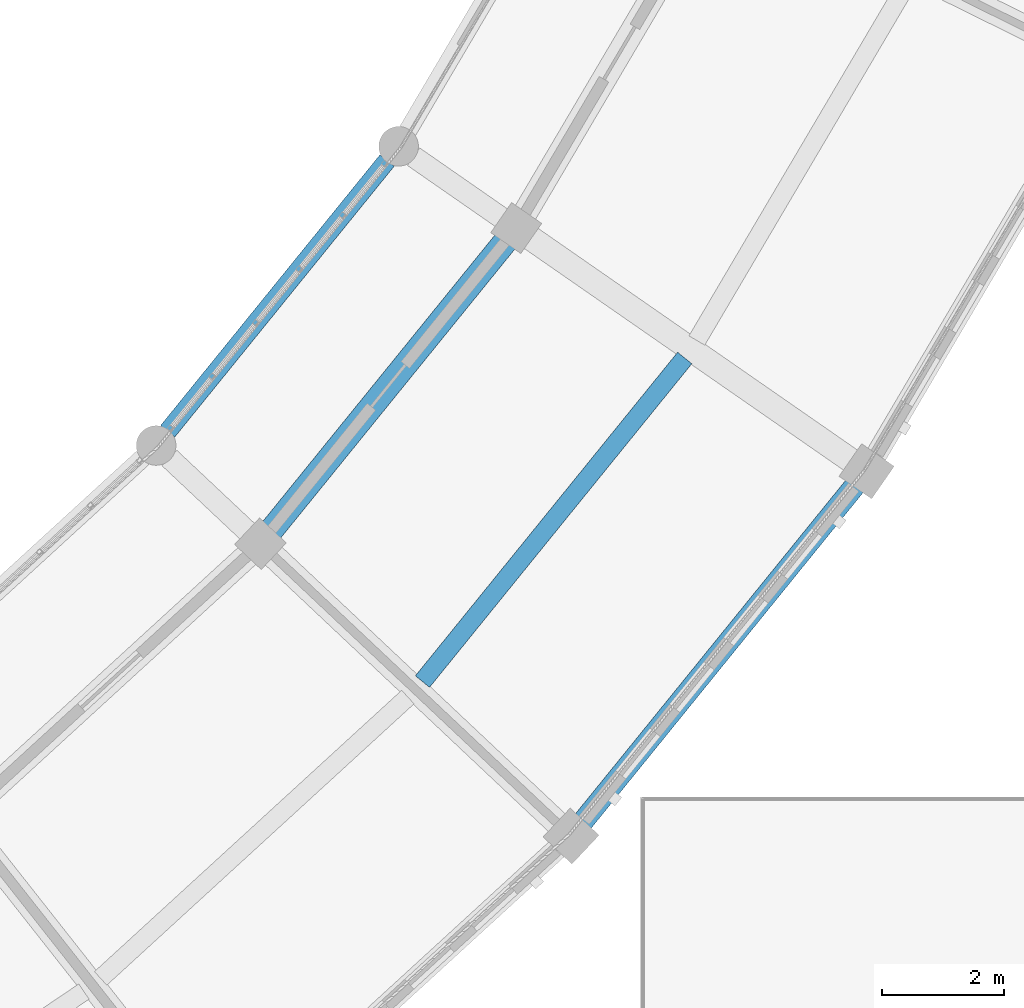
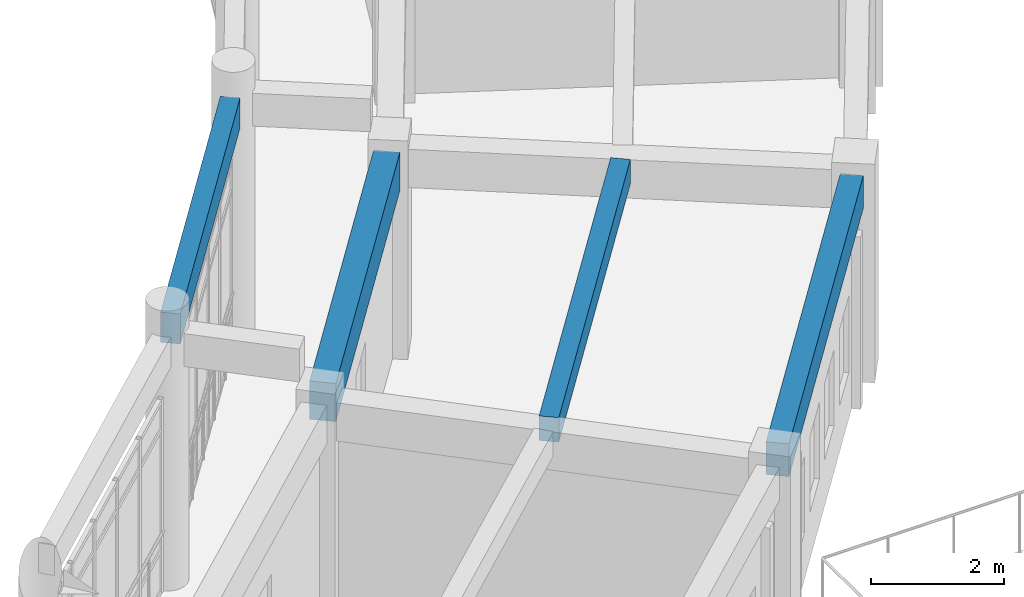
# One storey, part 44 of 159: 4 beams.
"""IFC4 building model written with IfcOpenShell, lengths in metres."""

from ifc_helpers import new_model, si_unit, direction, frame, origin, origin_2d, place, context, subcontext, project, spatial, rectangle, extrude, material, material_profile, profile_set, type_object, element, save


model = new_model("IFC4")

# Units and contexts
model_context = context("Model", 3, precision=1e-05, world=origin(), true_north=direction((0.0, 1.0)))
body_context = subcontext(model_context, "Body", "Model", "MODEL_VIEW")
ifc_project = project(units=[si_unit("LENGTHUNIT", "METRE"), si_unit("AREAUNIT", "SQUARE_METRE"), si_unit("VOLUMEUNIT", "CUBIC_METRE"), si_unit("PLANEANGLEUNIT", "RADIAN"), si_unit("MASSUNIT", "GRAM", prefix="KILO")], contexts=[model_context])

# Site, building, storey
site_placement = place(None, origin())
site = spatial("IfcSite", under=ifc_project, at=site_placement, CompositionType="ELEMENT")
building_placement = place(site_placement, origin())
building = spatial("IfcBuilding", under=site, at=building_placement, Name="Celadon Cloister-Ring School", CompositionType="ELEMENT")
storey_placement = place(building_placement, frame((0.0, 0.0, 4.5)))
storey = spatial("IfcBuildingStorey", under=building, at=storey_placement, Name="L01", CompositionType="ELEMENT", Elevation=4.5)

# Beams
ifc_material_1 = material(Name="Concrete C35/45", Category="concrete")
ifc_material_profile_1 = material_profile(ifc_material_1, rectangle(XDim=0.39990234375, YDim=0.699951171875, at=origin_2d()), Name="RC400X700")
ifc_profile_set_1 = profile_set([ifc_material_profile_1], Name="Concrete C35/45")
beam_type_1 = type_object("IfcBeamType", Name="GT-03", PredefinedType="USERDEFINED", material=ifc_profile_set_1)
beam_1_placement = place(storey_placement, frame((119.93798828125, 28.367919921875, 3.429931640625), z_axis=(0.629696496522, 0.776841246502, 0.0), x_axis=(-0.776841246502, 0.629696496522, 0.0)))
element("IfcBeam", 1, at=beam_1_placement, inside=storey, type_object=beam_type_1, Name="Beam 0352", ObjectType="GIRDER", PredefinedType="USERDEFINED", context=body_context, shape_type="SweptSolid", body=[
    extrude(rectangle(XDim=0.39990234375, YDim=0.699951171875, at=origin_2d()), origin(), (0.0, 0.0, 1.0), 6.11572265625),
])
ifc_material_2 = material(Name="Concrete C35/45", Category="concrete")
ifc_material_profile_2 = material_profile(ifc_material_2, rectangle(XDim=0.300048828125, YDim=0.449951171875, at=origin_2d()), Name="RC300X450")
ifc_profile_set_2 = profile_set([ifc_material_profile_2], Name="Concrete C35/45")
beam_type_2 = type_object("IfcBeamType", Name="JT-01", PredefinedType="JOIST", material=ifc_profile_set_2)
beam_2_placement = place(storey_placement, frame((122.423095703125, 25.89111328125, 3.554931640625), z_axis=(0.629687207375, 0.776848776062, 0.0), x_axis=(-0.776848776062, 0.629687207375, 0.0)))
element("IfcBeam", 2, at=beam_2_placement, inside=storey, type_object=beam_type_2, Name="Beam 0354", PredefinedType="JOIST", context=body_context, shape_type="SweptSolid", body=[
    extrude(rectangle(XDim=0.300048828125, YDim=0.449951171875, at=origin_2d()), origin(), (0.0, 0.0, 1.0), 6.8349609375),
])
ifc_material_3 = material(Name="Concrete C35/45", Category="concrete")
ifc_material_profile_3 = material_profile(ifc_material_3, rectangle(XDim=0.35009765625, YDim=0.60009765625, at=origin_2d()), Name="RC350X600")
ifc_profile_set_3 = profile_set([ifc_material_profile_3], Name="Concrete C35/45")
beam_type_3 = type_object("IfcBeamType", Name="SP-01", PredefinedType="SPANDREL", material=ifc_profile_set_3)
beam_3_placement = place(storey_placement, frame((125.051025390625, 23.589111328125, 3.47998046875), z_axis=(0.629565970538, 0.776947030846, 0.0), x_axis=(-0.776947030846, 0.629565970538, 0.0)))
element("IfcBeam", 3, at=beam_3_placement, inside=storey, type_object=beam_type_3, Name="Beam 0351", PredefinedType="SPANDREL", context=body_context, shape_type="SweptSolid", body=[
    extrude(rectangle(XDim=0.35009765625, YDim=0.60009765625, at=origin_2d()), origin(), (0.0, 0.0, 1.0), 7.103271484375),
])
ifc_material_4 = material(Name="Concrete C35/45", Category="concrete")
ifc_material_profile_4 = material_profile(ifc_material_4, rectangle(XDim=0.300048828125, YDim=0.550048828125, at=origin_2d()), Name="RC300X550")
ifc_profile_set_4 = profile_set([ifc_material_profile_4], Name="Concrete C35/45")
beam_type_4 = type_object("IfcBeamType", Name="SP-02", PredefinedType="SPANDREL", material=ifc_profile_set_4)
beam_4_placement = place(storey_placement, frame((118.242919921875, 29.998046875, 4.375), z_axis=(0.629566613558, 0.776946509802, 0.0), x_axis=(-0.776946509802, 0.629566613558, 0.0)))
element("IfcBeam", 4, at=beam_4_placement, inside=storey, type_object=beam_type_4, Name="Beam 0353", PredefinedType="SPANDREL", context=body_context, shape_type="SweptSolid", body=[
    extrude(rectangle(XDim=0.300048828125, YDim=0.550048828125, at=origin_2d()), origin(), (0.0, 0.0, 1.0), 5.71826171875),
])

save(model, "model.ifc")
